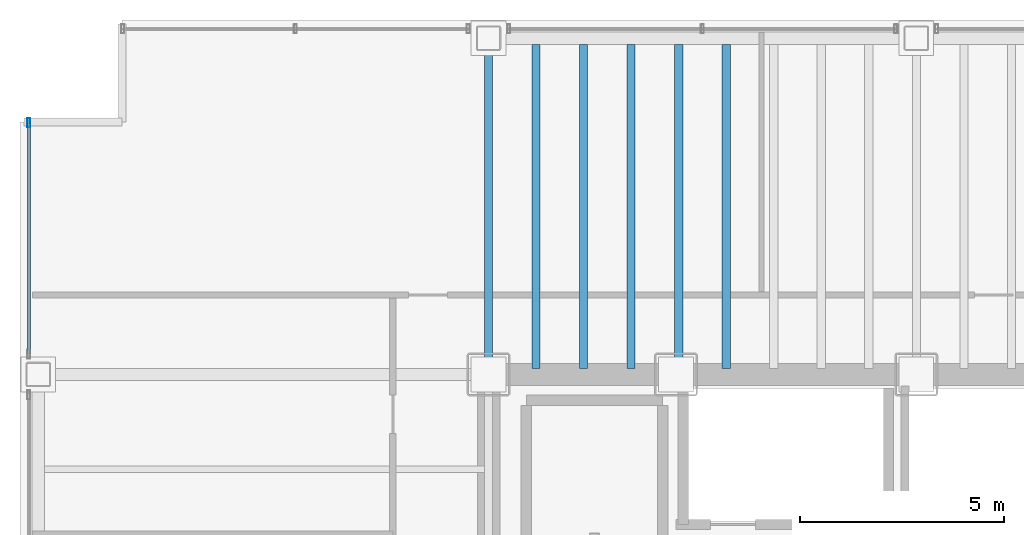
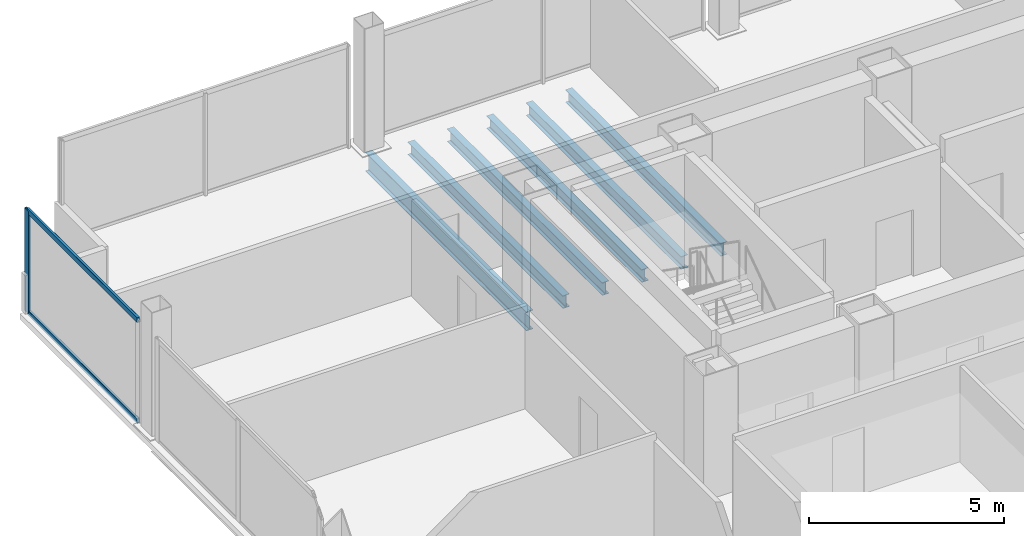
# One storey, part 7 of 21: 6 beams, 3 members, 1 element without a shape of its own.
"""IFC4 building model written with IfcOpenShell, lengths in metres."""

from ifc_helpers import new_model, si_unit, direction, frame, origin, origin_2d, place, context, subcontext, project, spatial, hollow_rectangle, i_section, extrude, material, material_profile, profile_set, type_object, element, aggregate, save


model = new_model("IFC4")

# Units and contexts
model_context = context("Model", 3, precision=1e-05, world=origin(), true_north=direction((0.0, 1.0)))
body_context = subcontext(model_context, "Body", "Model", "MODEL_VIEW")
ifc_project = project(units=[si_unit("LENGTHUNIT", "METRE"), si_unit("AREAUNIT", "SQUARE_METRE"), si_unit("VOLUMEUNIT", "CUBIC_METRE"), si_unit("PLANEANGLEUNIT", "RADIAN"), si_unit("MASSUNIT", "GRAM", prefix="KILO")], contexts=[model_context])

# Site, building, storey
site_placement = place(None, origin())
site = spatial("IfcSite", under=ifc_project, at=site_placement, CompositionType="ELEMENT")
building_placement = place(site_placement, origin())
building = spatial("IfcBuilding", under=site, at=building_placement, Name="Noeulbin Bourse Tower", CompositionType="ELEMENT")
storey_placement = place(building_placement, frame((0.0, 0.0, 38.199951171875)))
storey = spatial("IfcBuildingStorey", under=building, at=storey_placement, Name="L09", CompositionType="ELEMENT", Elevation=38.199951171875)

# Beams
ifc_material_1 = material(Name="Steel S355", Category="steel")
ifc_material_profile_1 = material_profile(ifc_material_1, i_section(OverallWidth=0.199951171875, OverallDepth=0.60009765625, WebThickness=0.010986328125, FlangeThickness=0.01708984375, FilletRadius=0.02197265625, at=origin_2d()), Name="H-600x200x11x17", Category="LoadBearing")
ifc_profile_set_1 = profile_set([ifc_material_profile_1], Name="Steel S355")
beam_type_1 = type_object("IfcBeamType", Name="BM-GRD-600", PredefinedType="USERDEFINED", material=ifc_profile_set_1)
beam_placement = place(storey_placement, frame((13.5, 38.300048828125, -0.47998046875), z_axis=(0.0, 1.0, 0.0), x_axis=(-1.0, 0.0, 0.0)))
element("IfcBeam", 1, at=beam_placement, inside=storey, type_object=beam_type_1, Name="Tower Primary Girder NS L09-1.4", ObjectType="GIRDER", PredefinedType="USERDEFINED", context=body_context, shape_type="SweptSolid", body=[
    extrude(i_section(OverallWidth=0.199951171875, OverallDepth=0.60009765625, WebThickness=0.010986328125, FlangeThickness=0.01708984375, FilletRadius=0.02197265625, at=origin_2d()), origin(), (0.0, 0.0, 1.0), 8.25),
])
ifc_material_profile_2 = material_profile(ifc_material_1, i_section(OverallWidth=0.199951171875, OverallDepth=0.39990234375, WebThickness=0.008056640625, FlangeThickness=0.012939453125, FilletRadius=0.01611328125, at=origin_2d()), Name="H-400x200x8x13", Category="LoadBearing")
ifc_profile_set_2 = profile_set([ifc_material_profile_2], Name="Steel S355")
beam_type_2 = type_object("IfcBeamType", Name="BM-SEC-400", PredefinedType="BEAM", material=ifc_profile_set_2)
for number, where, z_axis, x_axis, name in (
    (2, (14.666748046875, 38.449951171875, -0.3798828125), (0.0, 1.0, 0.0), (-1.0, 0.0, 0.0), "Tower Composite Joist L09-03"),
    (3, (15.833251953125, 38.449951171875, -0.3798828125), (0.0, 1.0, 0.0), (-1.0, 0.0, 0.0), "Tower Composite Joist L09-06"),
    (4, (17.0, 38.449951171875, -0.3798828125), (0.0, 1.0, 0.0), (-1.0, 0.0, 0.0), "Tower Composite Joist L09-09"),
    (5, (18.166748046875, 38.449951171875, -0.3798828125), (0.0, 1.0, 0.0), (-1.0, 0.0, 0.0), "Tower Composite Joist L09-12"),
    (6, (19.333251953125, 38.449951171875, -0.3798828125), (0.0, 1.0, 0.0), (-1.0, 0.0, 0.0), "Tower Composite Joist L09-15"),
):
    element("IfcBeam", number, at=place(storey_placement, frame(where, z_axis=z_axis, x_axis=x_axis)), inside=storey, type_object=beam_type_2, Name=name, PredefinedType="BEAM", context=body_context, shape_type="SweptSolid", body=[
        extrude(i_section(OverallWidth=0.199951171875, OverallDepth=0.39990234375, WebThickness=0.008056640625, FlangeThickness=0.012939453125, FilletRadius=0.01611328125, at=origin_2d()), origin(), (0.0, 0.0, 1.0), 7.949951171875),
    ])

# Curtain wall, members
ifc_material_2 = material(Name="Dark Solar-Control Double Glazing", Category="glass")
curtain_wall_type = type_object("IfcCurtainWallType", Name="CW-SYS-2", PredefinedType="NOTDEFINED", material=ifc_material_2)
curtain_wall_placement = place(storey_placement, origin())
curtain_wall = element("IfcCurtainWall", 7, at=curtain_wall_placement, inside=storey, type_object=curtain_wall_type, Name="Unitised Curtain Wall CW-L09-W-S4", PredefinedType="NOTDEFINED")
ifc_material_3 = material(Name="Anodised Aluminium 6063-T6", Category="aluminium")
ifc_material_profile_3 = material_profile(ifc_material_3, hollow_rectangle(XDim=0.074951171875, YDim=0.219970703125, WallThickness=0.0048828125, InnerFilletRadius=0.00244140625, OuterFilletRadius=0.0048828125, at=origin_2d()), Name="ALU-MULL-75x220x5", Category="LoadBearing")
ifc_profile_set_3 = profile_set([ifc_material_profile_3], Name="Anodised Aluminium 6063-T6")
member_type_1 = type_object("IfcMemberType", Name="CW-SYS-2-MUL", PredefinedType="MULLION", material=ifc_profile_set_3)
member_1_placement = place(storey_placement, frame((2.219970703125, 44.47998046875, -0.02001953125), z_axis=(0.0, 0.0, 1.0), x_axis=(1.0, 0.0, 0.0)))
member_1 = element("IfcMember", 8, at=member_1_placement, type_object=member_type_1, Name="Curtain Wall Mullion CW-L09-W-S4-M01", PredefinedType="MULLION", context=body_context, shape_type="SweptSolid", body=[
    extrude(hollow_rectangle(XDim=0.074951171875, YDim=0.219970703125, WallThickness=0.0048828125, InnerFilletRadius=0.00244140625, OuterFilletRadius=0.0048828125, at=origin_2d()), origin(), (0.0, 0.0, 1.0), 3.219970703125),
])
ifc_material_profile_4 = material_profile(ifc_material_3, hollow_rectangle(XDim=0.074951171875, YDim=0.159912109375, WallThickness=0.0048828125, InnerFilletRadius=0.00244140625, OuterFilletRadius=0.0048828125, at=origin_2d()), Name="ALU-TRAN-75x160x5", Category="LoadBearing")
ifc_profile_set_4 = profile_set([ifc_material_profile_4], Name="Anodised Aluminium 6063-T6")
member_type_2 = type_object("IfcMemberType", Name="CW-SYS-2-TRN", PredefinedType="USERDEFINED", material=ifc_profile_set_4)
member_2_placement = place(storey_placement, frame((2.219970703125, 38.81005859375, 0.010009765625), z_axis=(0.0, 1.0, 0.0), x_axis=(-1.0, 0.0, 0.0)))
member_2 = element("IfcMember", 9, at=member_2_placement, type_object=member_type_2, Name="Curtain Wall Transom CW-L09-W-S4-T00", ObjectType="TRANSOM", PredefinedType="USERDEFINED", context=body_context, shape_type="SweptSolid", body=[
    extrude(hollow_rectangle(XDim=0.074951171875, YDim=0.159912109375, WallThickness=0.0048828125, InnerFilletRadius=0.00244140625, OuterFilletRadius=0.0048828125, at=origin_2d()), origin(), (0.0, 0.0, 1.0), 5.659912109375),
])
member_3_placement = place(storey_placement, frame((2.219970703125, 38.81005859375, 3.170166015625), z_axis=(0.0, 1.0, 0.0), x_axis=(-1.0, 0.0, 0.0)))
member_3 = element("IfcMember", 10, at=member_3_placement, type_object=member_type_2, Name="Curtain Wall Transom CW-L09-W-S4-T01", ObjectType="TRANSOM", PredefinedType="USERDEFINED", context=body_context, shape_type="SweptSolid", body=[
    extrude(hollow_rectangle(XDim=0.074951171875, YDim=0.159912109375, WallThickness=0.0048828125, InnerFilletRadius=0.00244140625, OuterFilletRadius=0.0048828125, at=origin_2d()), origin(), (0.0, 0.0, 1.0), 5.659912109375),
])
aggregate(curtain_wall, [member_1, member_2, member_3])

save(model, "model.ifc")
